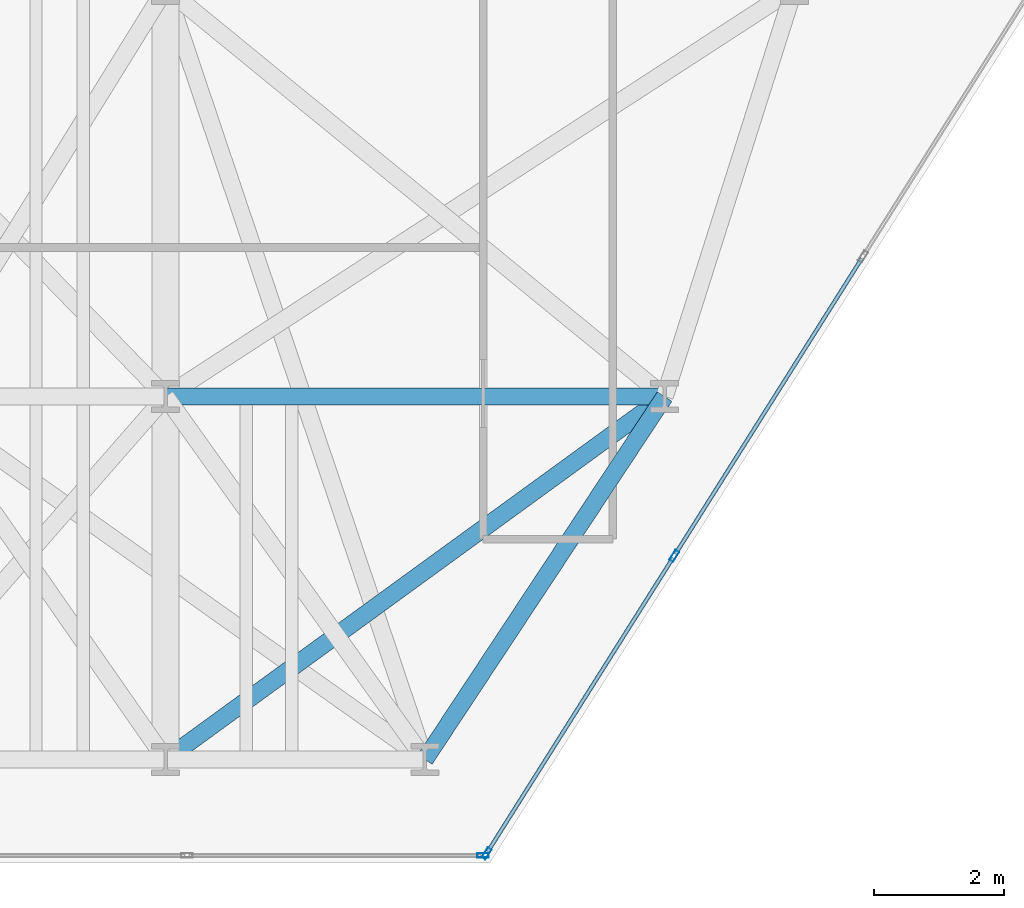
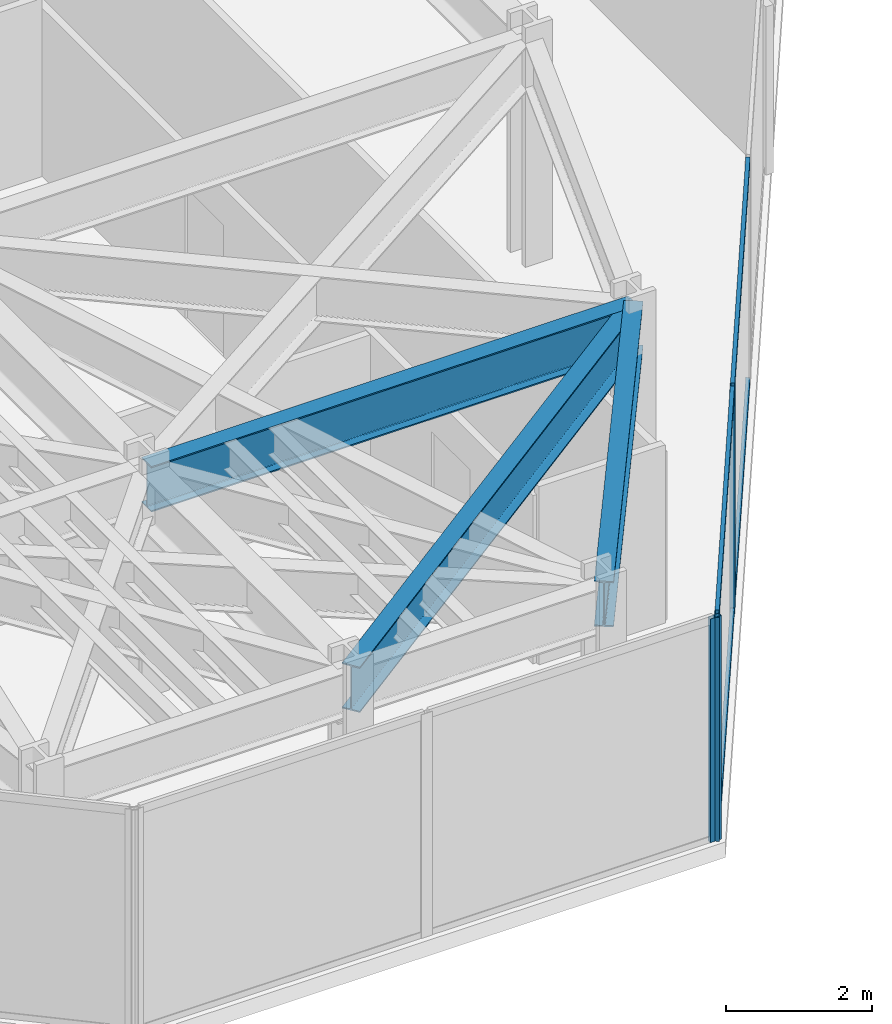
# One storey, part 5 of 24: 7 members, 3 beams, 2 elements without a shape of their own.
"""IFC4 building model written with IfcOpenShell, lengths in metres."""

import ifcopenshell
import ifcopenshell.guid

model = None  # the IFC model being written
_history = None  # IfcOwnerHistory: only IFC2X3 demands one
_inside = {}  # id of a spatial element -> (the spatial element, [elements in it])
_under = {}  # id of a project, library or spatial element -> (it, [spatial elements below it])
_declared = {}  # id of a project -> (the project, [libraries it declares])
_typed = {}  # id of a type object -> (the type object, [elements of that type])
_made_of = {}  # id of a material, layer set ... -> (it, [elements and type objects made of it])


def new_model(schema):
    """Start an empty IFC model of exactly this schema.

    Asked for "IFC4X3", IfcOpenShell would pick the latest addendum, in which some entities
    have other attributes; the version numbers below select the first issue.
    IFC2X3 requires an IfcOwnerHistory on every rooted entity: one is made here for all.
    """
    global model, _history
    if schema == "IFC4X3":
        model = ifcopenshell.file(schema_version=(4, 3, 0, 0))
    else:
        model = ifcopenshell.file(schema=schema)
    _inside.clear()
    _under.clear()
    _declared.clear()
    _typed.clear()
    _made_of.clear()
    _history = None
    if model.schema == "IFC2X3":
        org = make("IfcOrganization", Name="unknown")
        user = make(
            "IfcPersonAndOrganization",
            ThePerson=make("IfcPerson", FamilyName="unknown"),
            TheOrganization=org,
        )
        app = make(
            "IfcApplication",
            ApplicationDeveloper=org,
            Version="unknown",
            ApplicationFullName="unknown",
            ApplicationIdentifier="unknown",
        )
        _history = make(
            "IfcOwnerHistory",
            OwningUser=user,
            OwningApplication=app,
            ChangeAction="ADDED",
            CreationDate=0,
        )
    return model


def make(cls, **values):
    """One entity of the class cls with the attributes given. An attribute that is None is left unset."""
    return model.create_entity(
        cls, **{name: value for name, value in values.items() if value is not None}
    )


def rooted(cls, **values):
    """An entity with a GlobalId (a new one), such as an element, a storey or a relation."""
    return make(cls, GlobalId=ifcopenshell.guid.new(), OwnerHistory=_history, **values)


def si_unit(unit_type, name, prefix=None):
    """IfcSIUnit, for example si_unit("LENGTHUNIT", "METRE", prefix="MILLI")."""
    return make("IfcSIUnit", UnitType=unit_type, Prefix=prefix, Name=name)


def assignment(units):
    """IfcUnitAssignment: the units of a project."""
    return None if units is None else make("IfcUnitAssignment", Units=units)


def point(xyz):
    """IfcCartesianPoint."""
    return None if xyz is None else make("IfcCartesianPoint", Coordinates=xyz)


def direction(xyz):
    """IfcDirection."""
    return None if xyz is None else make("IfcDirection", DirectionRatios=xyz)


def frame(location, z_axis=None, x_axis=None):
    """IfcAxis2Placement3D, a coordinate frame: its origin and axes. An axis left out is left unset."""
    return make(
        "IfcAxis2Placement3D",
        Location=point(location),
        Axis=direction(z_axis),
        RefDirection=direction(x_axis),
    )


def frame_2d(location, x_axis=None):
    """IfcAxis2Placement2D, a coordinate frame in the plane: its origin and x axis."""
    return make(
        "IfcAxis2Placement2D", Location=point(location), RefDirection=direction(x_axis)
    )


def origin():
    """The frame at (0, 0, 0) with its axes left unset."""
    return frame((0.0, 0.0, 0.0))


def origin_2d():
    """The frame at (0, 0) in the plane with its x axis left unset."""
    return frame_2d((0.0, 0.0))


def place(relative_to, where):
    """IfcLocalPlacement: puts the frame where relative to a parent placement (None: the world)."""
    return make(
        "IfcLocalPlacement", PlacementRelTo=relative_to, RelativePlacement=where
    )


def context(
    kind, dimensions, precision=None, world=None, true_north=None, identifier=None
):
    """IfcGeometricRepresentationContext, for example the 3D "Model" context."""
    return make(
        "IfcGeometricRepresentationContext",
        ContextIdentifier=identifier,
        ContextType=kind,
        CoordinateSpaceDimension=dimensions,
        Precision=precision,
        WorldCoordinateSystem=world,
        TrueNorth=true_north,
    )


def subcontext(parent, identifier, kind, view, scale=None):
    """IfcGeometricRepresentationSubContext, for example "Body" below "Model"."""
    return make(
        "IfcGeometricRepresentationSubContext",
        ContextIdentifier=identifier,
        ContextType=kind,
        ParentContext=parent,
        TargetScale=scale,
        TargetView=view,
    )


def project(units=None, contexts=None):
    """IfcProject with its units and contexts."""
    return rooted(
        "IfcProject",
        Name="project",
        RepresentationContexts=contexts,
        UnitsInContext=assignment(units),
    )


def spatial(cls, under=None, at=None, **own):
    """A site, building, storey or space (cls), placed at a placement, below another one or the project."""
    s = rooted(cls, ObjectPlacement=at, **own)
    if under is not None:
        _under.setdefault(under.id(), (under, []))[1].append(s)
    return s


def profile(cls, at=None, kind="AREA", **sizes):
    """A parametric profile (cls). Its sizes go by their IFC names, for example OverallWidth=200.0."""
    return make(cls, ProfileType=kind, Position=at, **sizes)


def hollow_rectangle(**sizes):
    """IfcRectangleHollowProfileDef."""
    return profile("IfcRectangleHollowProfileDef", **sizes)


def i_section(**sizes):
    """IfcIShapeProfileDef."""
    return profile("IfcIShapeProfileDef", **sizes)


def extrude(swept, where, along, depth):
    """IfcExtrudedAreaSolid: the profile swept, set in the frame where, extruded along a direction by depth."""
    return make(
        "IfcExtrudedAreaSolid",
        SweptArea=swept,
        Position=where,
        ExtrudedDirection=direction(along),
        Depth=depth,
    )


def shape(context_of_items, identifier, shape_type, items):
    """IfcShapeRepresentation: the items that make up one representation, for example the "Body"."""
    return make(
        "IfcShapeRepresentation",
        ContextOfItems=context_of_items,
        RepresentationIdentifier=identifier,
        RepresentationType=shape_type,
        Items=items,
    )


def material(Name=None, Category=None):
    """IfcMaterial."""
    return make("IfcMaterial", Name=Name, Category=Category)


def layer(
    of_material, thickness, ventilated=None, Name=None, Category=None, Priority=None
):
    """IfcMaterialLayer: one layer of a wall or slab, of a material (None: an air gap)."""
    return make(
        "IfcMaterialLayer",
        Material=of_material,
        LayerThickness=thickness,
        IsVentilated=ventilated,
        Name=Name,
        Category=Category,
        Priority=Priority,
    )


def layer_set(layers, Name=None):
    """IfcMaterialLayerSet."""
    return make("IfcMaterialLayerSet", MaterialLayers=layers, LayerSetName=Name)


def material_profile(
    of_material, cross_section, Name=None, Category=None, Priority=None
):
    """IfcMaterialProfile: a cross section and its material."""
    return make(
        "IfcMaterialProfile",
        Name=Name,
        Material=of_material,
        Profile=cross_section,
        Priority=Priority,
        Category=Category,
    )


def profile_set(profiles, Name=None, composite=None):
    """IfcMaterialProfileSet."""
    return make(
        "IfcMaterialProfileSet",
        Name=Name,
        MaterialProfiles=profiles,
        CompositeProfile=composite,
    )


def made_of(thing, what):
    """Note that an element or type object is made of a material, layer set ...; save() writes the relation."""
    if what is not None:
        _made_of.setdefault(what.id(), (what, []))[1].append(thing)
    return thing


def type_object(cls, material=None, **own):
    """A type object (cls), such as IfcWallType, which elements share."""
    return made_of(rooted(cls, **own), material)


def element(
    cls,
    number,
    at=None,
    inside=None,
    cuts=None,
    type_object=None,
    material=None,
    context=None,
    identifier="Body",
    shape_type=None,
    held_by="IfcProductDefinitionShape",
    body=None,
    shapes=None,
    **own,
):
    """One element of the class cls, such as IfcWall. Its Tag is "e" and its number.

    at: its placement. inside: the storey or other place that contains it. cuts: it is an
    opening in that element (IfcRelVoidsElement). A single representation is given by context,
    identifier, shape_type and body (its items); several are given by shapes. held_by: the class
    of the entity that holds the representations. save() writes the other relations.
    """
    e = rooted(cls, Tag="e%d" % number, ObjectPlacement=at, **own)
    if body is not None:
        shapes = [shape(context, identifier, shape_type, body)]
    if shapes is not None:
        e.Representation = make(held_by, Representations=shapes)
    if inside is not None:
        _inside.setdefault(inside.id(), (inside, []))[1].append(e)
    if cuts is not None:
        rooted(
            "IfcRelVoidsElement", RelatingBuildingElement=cuts, RelatedOpeningElement=e
        )
    if type_object is not None:
        _typed.setdefault(type_object.id(), (type_object, []))[1].append(e)
    return made_of(e, material)


def aggregate(whole, parts):
    """IfcRelAggregates: a whole, such as a stair, and the parts it consists of."""
    return rooted("IfcRelAggregates", RelatingObject=whole, RelatedObjects=parts)


def save(model, path):
    """Write the relations noted so far, then the file.

    IfcRelAggregates (storeys below a building ...), IfcRelContainedInSpatialStructure (elements
    in a storey), IfcRelDefinesByType, IfcRelAssociatesMaterial and IfcRelDeclares: one each for
    every whole, place, type object, material and project.
    """
    for whole, parts in _under.values():
        aggregate(whole, parts)
    for where, things in _inside.values():
        rooted(
            "IfcRelContainedInSpatialStructure",
            RelatedElements=things,
            RelatingStructure=where,
        )
    for kind, things in _typed.values():
        rooted("IfcRelDefinesByType", RelatedObjects=things, RelatingType=kind)
    for what, things in _made_of.values():
        rooted("IfcRelAssociatesMaterial", RelatedObjects=things, RelatingMaterial=what)
    for by, libraries in _declared.values():
        rooted("IfcRelDeclares", RelatingContext=by, RelatedDefinitions=libraries)
    model.write(path)


model = new_model("IFC4")

# Units and contexts
model_context = context("Model", 3, precision=1e-05, world=origin(), true_north=direction((0.0, 1.0)))
body_context = subcontext(model_context, "Body", "Model", "MODEL_VIEW")
ifc_project = project(units=[si_unit("LENGTHUNIT", "METRE"), si_unit("AREAUNIT", "SQUARE_METRE"), si_unit("VOLUMEUNIT", "CUBIC_METRE"), si_unit("PLANEANGLEUNIT", "RADIAN"), si_unit("MASSUNIT", "GRAM", prefix="KILO")], contexts=[model_context])

# Site, building, storey
site_placement = place(None, origin())
site = spatial("IfcSite", under=ifc_project, at=site_placement, CompositionType="ELEMENT")
building_placement = place(site_placement, origin())
building = spatial("IfcBuilding", under=site, at=building_placement, Name="Kravanh Interchange Tower", CompositionType="ELEMENT")
storey_placement = place(building_placement, frame((0.0, 0.0, 77.5)))
storey = spatial("IfcBuildingStorey", under=building, at=storey_placement, Name="L18", CompositionType="ELEMENT", Elevation=77.5)

# Curtain wall, members
ifc_material_1 = material(Name="Anodised Bronze Aluminium", Category="aluminium")
ifc_layer = layer(ifc_material_1, 0.179931640625)
ifc_layer_set = layer_set([ifc_layer], Name="Unitised Curtain Wall System CW-Z1 Lower Office")
curtain_wall_type = type_object("IfcCurtainWallType", Name="Unitised Curtain Wall System CW-Z1 Lower Office", PredefinedType="NOTDEFINED", material=ifc_layer_set)
curtain_wall_1_placement = place(storey_placement, origin())
curtain_wall_1 = element("IfcCurtainWall", 1, at=curtain_wall_1_placement, inside=storey, type_object=curtain_wall_type, Name="L18 Unitised Curtain Wall CW-L18-05", PredefinedType="NOTDEFINED")
ifc_material_2 = material(Name="Anodised Bronze Aluminium", Category="aluminium")
ifc_material_profile_1 = material_profile(ifc_material_2, hollow_rectangle(XDim=0.070068359375, YDim=0.179931640625, WallThickness=0.00390625, at=origin_2d()), Name="ALU70X180X4")
ifc_profile_set_1 = profile_set([ifc_material_profile_1], Name="Anodised Bronze Aluminium")
member_type_1 = type_object("IfcMemberType", Name="Curtain Wall Mullion ALU70X180X4 Bronze", PredefinedType="MULLION", material=ifc_profile_set_1)
member_1_placement = place(storey_placement, frame((25.346923828125, 5.740966796875, 0.0), z_axis=(0.0, 0.0, 1.0), x_axis=(0.845925530786, -0.53330103728, 0.0)))
member_1 = element("IfcMember", 2, at=member_1_placement, type_object=member_type_1, Name="CW-Z1 mullion 5", PredefinedType="MULLION", context=body_context, shape_type="SweptSolid", body=[
    extrude(hollow_rectangle(XDim=0.070068359375, YDim=0.179931640625, WallThickness=0.00390625, at=origin_2d()), origin(), (0.0, 0.0, 1.0), 3.739990234375),
])
member_2_placement = place(storey_placement, frame((22.452392578125, 1.149658203125, 0.0), z_axis=(0.0, 0.0, 1.0), x_axis=(0.845925530786, -0.53330103728, 0.0)))
member_2 = element("IfcMember", 3, at=member_2_placement, type_object=member_type_1, Name="CW-Z1 mullion 6", PredefinedType="MULLION", context=body_context, shape_type="SweptSolid", body=[
    extrude(hollow_rectangle(XDim=0.070068359375, YDim=0.179931640625, WallThickness=0.00390625, at=origin_2d()), origin(), (0.0, 0.0, 1.0), 3.739990234375),
])

# Curtain wall, member
curtain_wall_2_placement = place(storey_placement, origin())
curtain_wall_2 = element("IfcCurtainWall", 4, at=curtain_wall_2_placement, inside=storey, type_object=curtain_wall_type, Name="L18 Unitised Curtain Wall CW-L18-06", PredefinedType="NOTDEFINED")
member_3_placement = place(storey_placement, frame((22.398681640625, 1.1201171875, 0.0), z_axis=(0.0, 0.0, 1.0), x_axis=(0.0, -1.0, 0.0)))
member_3 = element("IfcMember", 5, at=member_3_placement, type_object=member_type_1, Name="CW-Z1 mullion 1", PredefinedType="MULLION", context=body_context, shape_type="SweptSolid", body=[
    extrude(hollow_rectangle(XDim=0.070068359375, YDim=0.179931640625, WallThickness=0.00390625, at=origin_2d()), origin(), (0.0, 0.0, 1.0), 3.739990234375),
])
aggregate(curtain_wall_2, [member_3])

# Member
ifc_material_3 = material(Name="Anodised Bronze Aluminium", Category="aluminium")
ifc_material_profile_2 = material_profile(ifc_material_3, hollow_rectangle(XDim=0.06005859375, YDim=0.139892578125, WallThickness=0.00390625, at=origin_2d()), Name="ALU60X140X4")
ifc_profile_set_2 = profile_set([ifc_material_profile_2], Name="Anodised Bronze Aluminium")
member_type_2 = type_object("IfcMemberType", Name="Curtain Wall Transom ALU60X140X4 Bronze", PredefinedType="USERDEFINED", material=ifc_profile_set_2)
member_4_placement = place(storey_placement, frame((28.24169921875, 10.332275390625, 0.030029296875), z_axis=(-0.533311487456, -0.84591894254, 0.0), x_axis=(0.84591894254, -0.533311487456, 0.0)))
member_4 = element("IfcMember", 6, at=member_4_placement, type_object=member_type_2, Name="CW-Z1 transom 4.1", ObjectType="TRANSOM", PredefinedType="USERDEFINED", context=body_context, shape_type="SweptSolid", body=[
    extrude(hollow_rectangle(XDim=0.06005859375, YDim=0.139892578125, WallThickness=0.00390625, at=origin_2d()), origin(), (0.0, 0.0, 1.0), 5.392578125),
])

member_5_placement = place(storey_placement, frame((28.24169921875, 10.332275390625, 3.7099609375), z_axis=(-0.533311487456, -0.84591894254, 0.0), x_axis=(0.84591894254, -0.533311487456, 0.0)))
member_5 = element("IfcMember", 7, at=member_5_placement, type_object=member_type_2, Name="CW-Z1 transom 4.2", ObjectType="TRANSOM", PredefinedType="USERDEFINED", context=body_context, shape_type="SweptSolid", body=[
    extrude(hollow_rectangle(XDim=0.06005859375, YDim=0.139892578125, WallThickness=0.00390625, at=origin_2d()), origin(), (0.0, 0.0, 1.0), 5.392578125),
])

member_6_placement = place(storey_placement, frame((25.328369140625, 5.71142578125, 0.030029296875), z_axis=(-0.533288163518, -0.845933646719, 0.0), x_axis=(0.845933646719, -0.533288163518, 0.0)))
member_6 = element("IfcMember", 8, at=member_6_placement, type_object=member_type_2, Name="CW-Z1 transom 5.1", ObjectType="TRANSOM", PredefinedType="USERDEFINED", context=body_context, shape_type="SweptSolid", body=[
    extrude(hollow_rectangle(XDim=0.06005859375, YDim=0.139892578125, WallThickness=0.00390625, at=origin_2d()), origin(), (0.0, 0.0, 1.0), 5.357666015625),
])

member_7_placement = place(storey_placement, frame((25.328369140625, 5.71142578125, 3.7099609375), z_axis=(-0.533288163518, -0.845933646719, 0.0), x_axis=(0.845933646719, -0.533288163518, 0.0)))
member_7 = element("IfcMember", 9, at=member_7_placement, type_object=member_type_2, Name="CW-Z1 transom 5.2", ObjectType="TRANSOM", PredefinedType="USERDEFINED", context=body_context, shape_type="SweptSolid", body=[
    extrude(hollow_rectangle(XDim=0.06005859375, YDim=0.139892578125, WallThickness=0.00390625, at=origin_2d()), origin(), (0.0, 0.0, 1.0), 5.357666015625),
])

aggregate(curtain_wall_1, [member_1, member_2, member_4, member_5, member_6, member_7])

# Beams
ifc_material_4 = material(Name="Structural Steel S355", Category="steel")
ifc_material_profile_3 = material_profile(ifc_material_4, i_section(OverallWidth=0.26708984375, OverallDepth=0.761962890625, WebThickness=0.014404296875, FlangeThickness=0.021484375, FilletRadius=0.02490234375, at=origin_2d()), Name="W30X116")
ifc_profile_set_3 = profile_set([ifc_material_profile_3], Name="Structural Steel S355")
beam_type = type_object("IfcBeamType", Name="Floor Spandrel W30X116 Structural Steel S355", PredefinedType="SPANDREL", material=ifc_profile_set_3)
beam_1_placement = place(storey_placement, frame((17.5, 2.60009765625, 3.35888671875), z_axis=(0.808741628611, 0.588164074176, 0.0), x_axis=(-0.588164074176, 0.808741628611, 0.0)))
element("IfcBeam", 10, at=beam_1_placement, inside=storey, type_object=beam_type, Name="L18 Perimeter Spandrel 105", PredefinedType="SPANDREL", context=body_context, shape_type="SweptSolid", body=[
    extrude(i_section(OverallWidth=0.26708984375, OverallDepth=0.761962890625, WebThickness=0.014404296875, FlangeThickness=0.021484375, FilletRadius=0.02490234375, at=origin_2d()), origin(), (0.0, 0.0, 1.0), 9.52099609375),
])
beam_2_placement = place(storey_placement, frame((21.5, 2.60009765625, 3.35888671875), z_axis=(0.551262239226, 0.834332034386, 0.0), x_axis=(-0.834332034386, 0.551262239226, 0.0)))
element("IfcBeam", 11, at=beam_2_placement, inside=storey, type_object=beam_type, Name="L18 Perimeter Spandrel 121", PredefinedType="SPANDREL", context=body_context, shape_type="SweptSolid", body=[
    extrude(i_section(OverallWidth=0.26708984375, OverallDepth=0.761962890625, WebThickness=0.014404296875, FlangeThickness=0.021484375, FilletRadius=0.02490234375, at=origin_2d()), origin(), (0.0, 0.0, 1.0), 6.711669921875),
])
beam_3_placement = place(storey_placement, frame((17.5, 8.199951171875, 3.35888671875), z_axis=(1.0, 0.0, 0.0), x_axis=(0.0, 1.0, 0.0)))
element("IfcBeam", 12, at=beam_3_placement, inside=storey, type_object=beam_type, Name="L18 Perimeter Spandrel 137", PredefinedType="SPANDREL", context=body_context, shape_type="SweptSolid", body=[
    extrude(i_section(OverallWidth=0.26708984375, OverallDepth=0.761962890625, WebThickness=0.014404296875, FlangeThickness=0.021484375, FilletRadius=0.02490234375, at=origin_2d()), origin(), (0.0, 0.0, 1.0), 7.699951171875),
])

save(model, "model.ifc")
